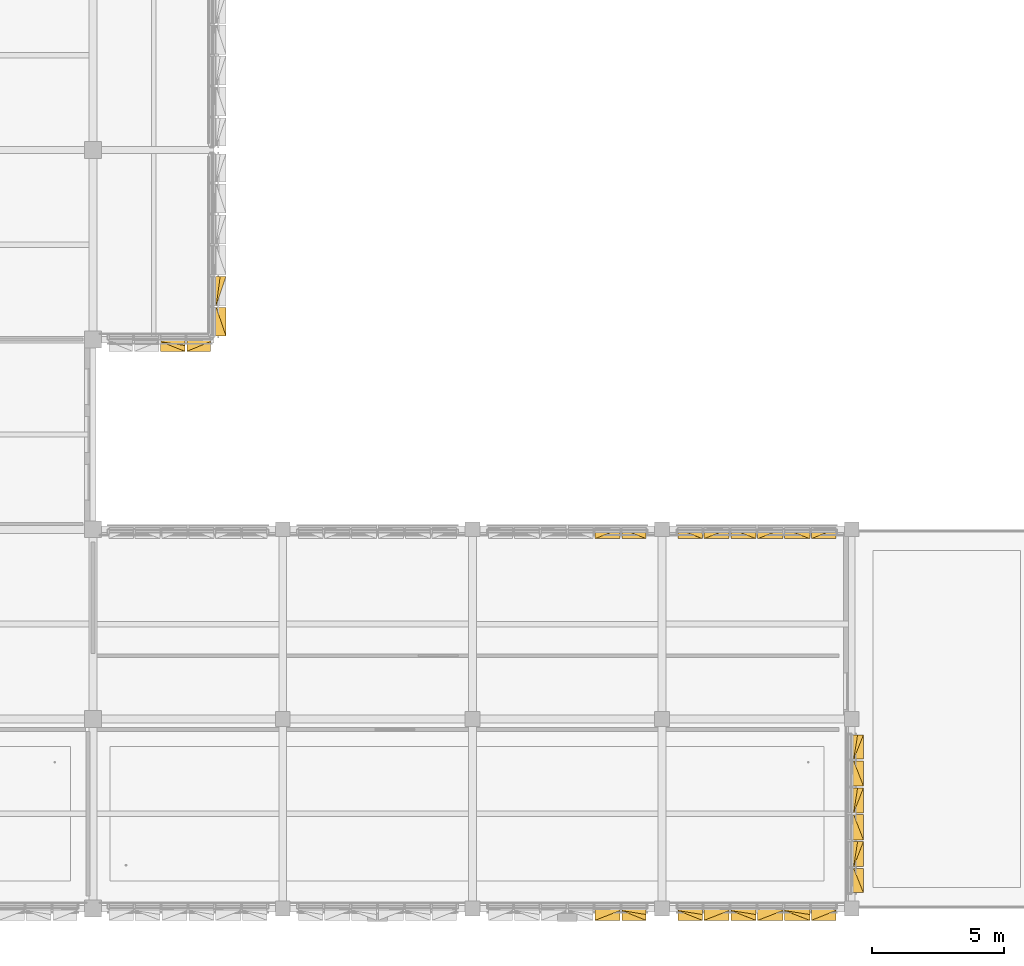
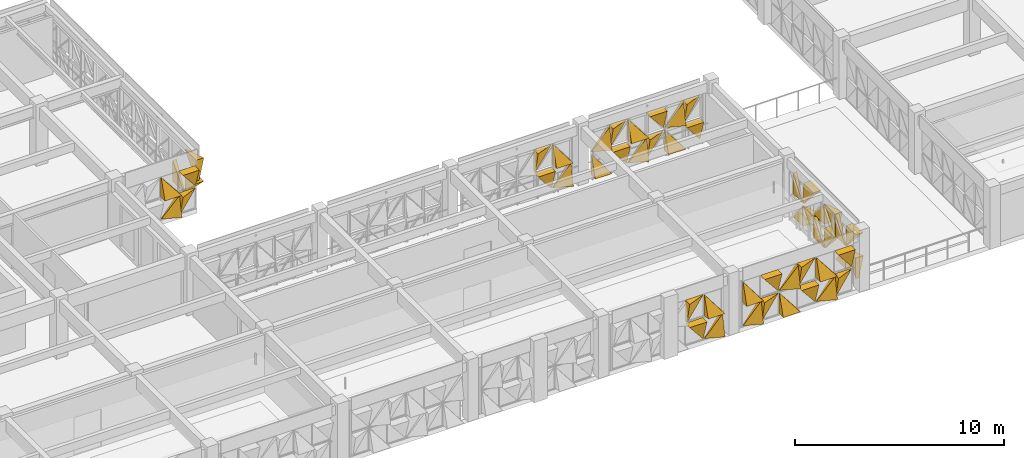
# One storey, part 79 of 85: 51 coverings.
"""IFC4 building model written with IfcOpenShell, lengths in metres."""

from ifc_helpers import new_model, si_unit, direction, frame, origin, place, context, subcontext, project, spatial, polygons, material, layer, layer_set, type_object, element, save


model = new_model("IFC4")

# Units and contexts
model_context = context("Model", 3, precision=1e-05, world=origin(), true_north=direction((0.0, 1.0)))
body_context = subcontext(model_context, "Body", "Model", "MODEL_VIEW")
ifc_project = project(units=[si_unit("LENGTHUNIT", "METRE"), si_unit("AREAUNIT", "SQUARE_METRE"), si_unit("VOLUMEUNIT", "CUBIC_METRE"), si_unit("PLANEANGLEUNIT", "RADIAN"), si_unit("MASSUNIT", "GRAM", prefix="KILO")], contexts=[model_context])

# Site, building, storey
site_placement = place(None, origin())
site = spatial("IfcSite", under=ifc_project, at=site_placement, CompositionType="ELEMENT")
building_placement = place(site_placement, origin())
building = spatial("IfcBuilding", under=site, at=building_placement, Name="Alvorim Cloister Faculty of Sciences", CompositionType="ELEMENT")
storey_placement = place(building_placement, frame((0.0, 0.0, 8.550048828125)))
storey = spatial("IfcBuildingStorey", under=building, at=storey_placement, Name="L02", CompositionType="ELEMENT", Elevation=8.550048828125)

# Coverings
ifc_material = material(Name="Perforated Bronze Alloy Sheet", Category="metal")
ifc_layer = layer(ifc_material, 0.0380859375)
ifc_layer_set = layer_set([ifc_layer], Name="Perforated Bronze Alloy Sheet")
covering_type = type_object("IfcCoveringType", Name="COV-TRI-BRZ", PredefinedType="CLADDING", material=ifc_layer_set)
covering_1_placement = place(storey_placement, frame((33.445068359375, 21.7451171875, 0.139892578125), z_axis=(0.0, 0.0, 1.0), x_axis=(0.0, 1.0, 0.0)))
element("IfcCovering", 1, at=covering_1_placement, inside=storey, type_object=covering_type, Name="Diagonal Solid Metal Triangle TRI-TR", PredefinedType="CLADDING", context=body_context, shape_type="Tessellation", body=[
    polygons([(1.075927734375, 0.0260009765625, 0.002), (1.075927734375, 0.0260009765625, 1.218505859375), (0.002, 0.0260009765625, 1.218505859375), (1.075927734375, -0.03, 0.002), (1.075927734375, -0.4, 1.218505859375), (0.002, -0.4, 1.218505859375)], [[[1, 3, 2]], [[4, 5, 6]], [[1, 2, 5, 4]], [[2, 3, 6, 5]], [[3, 1, 4, 6]]], closed=True),
])
covering_2_placement = place(storey_placement, frame((33.445068359375, 21.7451171875, 1.49853515625), z_axis=(0.0, 0.0, 1.0), x_axis=(0.0, 1.0, 0.0)))
element("IfcCovering", 2, at=covering_2_placement, inside=storey, type_object=covering_type, Name="Diagonal Solid Metal Triangle TRI-TL", PredefinedType="CLADDING", context=body_context, shape_type="Tessellation", body=[
    polygons([(1.073927734375, 0.0260009765625, 1.218505859375), (0.0, 0.0260009765625, 1.218505859375), (0.0, 0.0260009765625, 0.002), (1.073927734375, -0.03, 1.218505859375), (0.0, -0.4, 1.218505859375), (0.0, -0.13999999999999999, 0.002)], [[[1, 3, 2]], [[4, 5, 6]], [[1, 2, 5, 4]], [[2, 3, 6, 5]], [[3, 1, 4, 6]]], closed=True),
])
covering_3_placement = place(storey_placement, frame((33.445068359375, 22.8857421875, 0.139892578125), z_axis=(0.0, 0.0, 1.0), x_axis=(0.0, 1.0, 0.0)))
element("IfcCovering", 3, at=covering_3_placement, inside=storey, type_object=covering_type, Name="Diagonal Solid Metal Triangle TRI-BR", PredefinedType="CLADDING", context=body_context, shape_type="Tessellation", body=[
    polygons([(0.002, 0.0260009765625, 0.0), (1.1083984375, 0.0260009765625, 0.0), (1.1083984375, 0.0260009765625, 1.216505859375), (0.002, -0.03, 0.0), (1.1083984375, -0.4, 0.0), (1.1083984375, -0.18000000000000002, 1.216505859375)], [[[1, 3, 2]], [[4, 5, 6]], [[1, 2, 5, 4]], [[2, 3, 6, 5]], [[3, 1, 4, 6]]], closed=True),
])
covering_4_placement = place(storey_placement, frame((31.362548828125, 21.554931640625, 0.139892578125), z_axis=(0.0, 0.0, 1.0), x_axis=(1.0, 0.0, 0.0)))
element("IfcCovering", 4, at=covering_4_placement, inside=storey, type_object=covering_type, Name="Diagonal Solid Metal Triangle TRI-BR", PredefinedType="CLADDING", context=body_context, shape_type="Tessellation", body=[
    polygons([(0.002, 0.0260009765625, 0.0), (0.929931640625, 0.0260009765625, 0.0), (0.929931640625, 0.0260009765625, 1.14106640625), (0.002, -0.03, 0.0), (0.929931640625, -0.4, 0.0), (0.929931640625, -0.18000000000000002, 1.14106640625)], [[[1, 3, 2]], [[4, 5, 6]], [[1, 2, 5, 4]], [[2, 3, 6, 5]], [[3, 1, 4, 6]]], closed=True),
])
covering_5_placement = place(storey_placement, frame((31.362548828125, 21.554931640625, 1.4228515625), z_axis=(0.0, 0.0, 1.0), x_axis=(1.0, 0.0, 0.0)))
element("IfcCovering", 5, at=covering_5_placement, inside=storey, type_object=covering_type, Name="Diagonal Solid Metal Triangle TRI-BL", PredefinedType="CLADDING", context=body_context, shape_type="Tessellation", body=[
    polygons([(0.0, 0.0260009765625, 0.0), (0.927931640625, 0.0260009765625, 0.0), (0.0, 0.0260009765625, 1.14106640625), (0.0, -0.4, 0.0), (0.927931640625, -0.4, 0.0), (0.0, -0.03, 1.14106640625)], [[[1, 3, 2]], [[4, 5, 6]], [[1, 2, 5, 4]], [[2, 3, 6, 5]], [[3, 1, 4, 6]]], closed=True),
])
covering_6_placement = place(storey_placement, frame((32.357421875, 21.554931640625, 0.139892578125), z_axis=(0.0, 0.0, 1.0), x_axis=(1.0, 0.0, 0.0)))
element("IfcCovering", 6, at=covering_6_placement, inside=storey, type_object=covering_type, Name="Diagonal Solid Metal Triangle TRI-TL", PredefinedType="CLADDING", context=body_context, shape_type="Tessellation", body=[
    polygons([(0.8954609375, 0.0260009765625, 1.14306640625), (0.0, 0.0260009765625, 1.14306640625), (0.0, 0.0260009765625, 0.002), (0.8954609375, -0.03, 1.14306640625), (0.0, -0.4, 1.14306640625), (0.0, -0.13999999999999999, 0.002)], [[[1, 3, 2]], [[4, 5, 6]], [[1, 2, 5, 4]], [[2, 3, 6, 5]], [[3, 1, 4, 6]]], closed=True),
])
covering_7_placement = place(storey_placement, frame((32.357421875, 21.554931640625, 1.4228515625), z_axis=(0.0, 0.0, 1.0), x_axis=(1.0, 0.0, 0.0)))
element("IfcCovering", 7, at=covering_7_placement, inside=storey, type_object=covering_type, Name="Diagonal Solid Metal Triangle TRI-TR", PredefinedType="CLADDING", context=body_context, shape_type="Tessellation", body=[
    polygons([(0.8974609375, 0.0260009765625, 0.002), (0.8974609375, 0.0260009765625, 1.14306640625), (0.002, 0.0260009765625, 1.14306640625), (0.8974609375, -0.03, 0.002), (0.8974609375, -0.4, 1.14306640625), (0.002, -0.4, 1.14306640625)], [[[1, 3, 2]], [[4, 5, 6]], [[1, 2, 5, 4]], [[2, 3, 6, 5]], [[3, 1, 4, 6]]], closed=True),
])
covering_8_placement = place(storey_placement, frame((47.8525390625, 14.445068359375, 0.139892578125), z_axis=(0.0, 0.0, 1.0), x_axis=(1.0, 0.0, 0.0)))
element("IfcCovering", 8, at=covering_8_placement, inside=storey, type_object=covering_type, Name="Diagonal Solid Metal Triangle TRI-TR", PredefinedType="CLADDING", context=body_context, shape_type="Tessellation", body=[
    polygons([(0.955078125, 0.0260009765625, 0.002), (0.955078125, 0.0260009765625, 1.215087890625), (0.002, 0.0260009765625, 1.215087890625), (0.955078125, -0.03, 0.002), (0.955078125, -0.4, 1.215087890625), (0.002, -0.4, 1.215087890625)], [[[1, 3, 2]], [[4, 5, 6]], [[1, 2, 5, 4]], [[2, 3, 6, 5]], [[3, 1, 4, 6]]], closed=True),
])
covering_9_placement = place(storey_placement, frame((47.8525390625, 14.445068359375, 1.494873046875), z_axis=(0.0, 0.0, 1.0), x_axis=(1.0, 0.0, 0.0)))
element("IfcCovering", 9, at=covering_9_placement, inside=storey, type_object=covering_type, Name="Diagonal Solid Metal Triangle TRI-TL", PredefinedType="CLADDING", context=body_context, shape_type="Tessellation", body=[
    polygons([(0.953078125, 0.0260009765625, 1.215087890625), (0.0, 0.0260009765625, 1.215087890625), (0.0, 0.0260009765625, 0.002), (0.953078125, -0.03, 1.215087890625), (0.0, -0.4, 1.215087890625), (0.0, -0.13999999999999999, 0.002)], [[[1, 3, 2]], [[4, 5, 6]], [[1, 2, 5, 4]], [[2, 3, 6, 5]], [[3, 1, 4, 6]]], closed=True),
])
covering_10_placement = place(storey_placement, frame((48.87255859375, 14.445068359375, 0.139892578125), z_axis=(0.0, 0.0, 1.0), x_axis=(1.0, 0.0, 0.0)))
element("IfcCovering", 10, at=covering_10_placement, inside=storey, type_object=covering_type, Name="Diagonal Solid Metal Triangle TRI-BR", PredefinedType="CLADDING", context=body_context, shape_type="Tessellation", body=[
    polygons([(0.002, 0.0260009765625, 0.0), (0.922607421875, 0.0260009765625, 0.0), (0.922607421875, 0.0260009765625, 1.213087890625), (0.002, -0.03, 0.0), (0.922607421875, -0.4, 0.0), (0.922607421875, -0.18000000000000002, 1.213087890625)], [[[1, 3, 2]], [[4, 5, 6]], [[1, 2, 5, 4]], [[2, 3, 6, 5]], [[3, 1, 4, 6]]], closed=True),
])
for number, where, z_axis, x_axis, name in (
    (11, (48.87255859375, 14.445068359375, 1.494873046875), (0.0, 0.0, 1.0), (1.0, 0.0, 0.0), "Diagonal Solid Metal Triangle TRI-BL"),
    (12, (51.0048828125, 14.445068359375, 0.139892578125), (0.0, 0.0, 1.0), (1.0, 0.0, 0.0), "Diagonal Solid Metal Triangle TRI-BL"),
):
    element("IfcCovering", number, at=place(storey_placement, frame(where, z_axis=z_axis, x_axis=x_axis)), inside=storey, type_object=covering_type, Name=name, PredefinedType="CLADDING", context=body_context, shape_type="Tessellation", body=[
        polygons([(0.0, 0.0260009765625, 0.0), (0.920607421875, 0.0260009765625, 0.0), (0.0, 0.0260009765625, 1.213087890625), (0.0, -0.4, 0.0), (0.920607421875, -0.4, 0.0), (0.0, -0.03, 1.213087890625)], [[[1, 3, 2]], [[4, 5, 6]], [[1, 2, 5, 4]], [[2, 3, 6, 5]], [[3, 1, 4, 6]]], closed=True),
    ])
covering_11_placement = place(storey_placement, frame((51.0048828125, 14.445068359375, 1.494873046875), z_axis=(0.0, 0.0, 1.0), x_axis=(1.0, 0.0, 0.0)))
element("IfcCovering", 13, at=covering_11_placement, inside=storey, type_object=covering_type, Name="Diagonal Solid Metal Triangle TRI-BR", PredefinedType="CLADDING", context=body_context, shape_type="Tessellation", body=[
    polygons([(0.002, 0.0260009765625, 0.0), (0.922607421875, 0.0260009765625, 0.0), (0.922607421875, 0.0260009765625, 1.213087890625), (0.002, -0.03, 0.0), (0.922607421875, -0.4, 0.0), (0.922607421875, -0.18000000000000002, 1.213087890625)], [[[1, 3, 2]], [[4, 5, 6]], [[1, 2, 5, 4]], [[2, 3, 6, 5]], [[3, 1, 4, 6]]], closed=True),
])
covering_12_placement = place(storey_placement, frame((51.992431640625, 14.445068359375, 0.139892578125), z_axis=(0.0, 0.0, 1.0), x_axis=(1.0, 0.0, 0.0)))
element("IfcCovering", 14, at=covering_12_placement, inside=storey, type_object=covering_type, Name="Diagonal Solid Metal Triangle TRI-TR", PredefinedType="CLADDING", context=body_context, shape_type="Tessellation", body=[
    polygons([(0.955078125, 0.0260009765625, 0.002), (0.955078125, 0.0260009765625, 1.215087890625), (0.002, 0.0260009765625, 1.215087890625), (0.955078125, -0.03, 0.002), (0.955078125, -0.4, 1.215087890625), (0.002, -0.4, 1.215087890625)], [[[1, 3, 2]], [[4, 5, 6]], [[1, 2, 5, 4]], [[2, 3, 6, 5]], [[3, 1, 4, 6]]], closed=True),
])
covering_13_placement = place(storey_placement, frame((51.992431640625, 14.445068359375, 1.494873046875), z_axis=(0.0, 0.0, 1.0), x_axis=(1.0, 0.0, 0.0)))
element("IfcCovering", 15, at=covering_13_placement, inside=storey, type_object=covering_type, Name="Diagonal Solid Metal Triangle TRI-TL", PredefinedType="CLADDING", context=body_context, shape_type="Tessellation", body=[
    polygons([(0.953078125, 0.0260009765625, 1.215087890625), (0.0, 0.0260009765625, 1.215087890625), (0.0, 0.0260009765625, 0.002), (0.953078125, -0.03, 1.215087890625), (0.0, -0.4, 1.215087890625), (0.0, -0.13999999999999999, 0.002)], [[[1, 3, 2]], [[4, 5, 6]], [[1, 2, 5, 4]], [[2, 3, 6, 5]], [[3, 1, 4, 6]]], closed=True),
])
covering_14_placement = place(storey_placement, frame((53.012451171875, 14.445068359375, 0.139892578125), z_axis=(0.0, 0.0, 1.0), x_axis=(1.0, 0.0, 0.0)))
element("IfcCovering", 16, at=covering_14_placement, inside=storey, type_object=covering_type, Name="Diagonal Solid Metal Triangle TRI-BR", PredefinedType="CLADDING", context=body_context, shape_type="Tessellation", body=[
    polygons([(0.002, 0.0260009765625, 0.0), (0.955078125, 0.0260009765625, 0.0), (0.955078125, 0.0260009765625, 1.213087890625), (0.002, -0.03, 0.0), (0.955078125, -0.4, 0.0), (0.955078125, -0.18000000000000002, 1.213087890625)], [[[1, 3, 2]], [[4, 5, 6]], [[1, 2, 5, 4]], [[2, 3, 6, 5]], [[3, 1, 4, 6]]], closed=True),
])
covering_15_placement = place(storey_placement, frame((53.012451171875, 14.445068359375, 1.494873046875), z_axis=(0.0, 0.0, 1.0), x_axis=(1.0, 0.0, 0.0)))
element("IfcCovering", 17, at=covering_15_placement, inside=storey, type_object=covering_type, Name="Diagonal Solid Metal Triangle TRI-BL", PredefinedType="CLADDING", context=body_context, shape_type="Tessellation", body=[
    polygons([(0.0, 0.0260009765625, 0.0), (0.953078125, 0.0260009765625, 0.0), (0.0, 0.0260009765625, 1.213087890625), (0.0, -0.4, 0.0), (0.953078125, -0.4, 0.0), (0.0, -0.03, 1.213087890625)], [[[1, 3, 2]], [[4, 5, 6]], [[1, 2, 5, 4]], [[2, 3, 6, 5]], [[3, 1, 4, 6]]], closed=True),
])
covering_16_placement = place(storey_placement, frame((54.032470703125, 14.445068359375, 0.139892578125), z_axis=(0.0, 0.0, 1.0), x_axis=(1.0, 0.0, 0.0)))
element("IfcCovering", 18, at=covering_16_placement, inside=storey, type_object=covering_type, Name="Diagonal Solid Metal Triangle TRI-TL", PredefinedType="CLADDING", context=body_context, shape_type="Tessellation", body=[
    polygons([(0.953078125, 0.0260009765625, 1.215087890625), (0.0, 0.0260009765625, 1.215087890625), (0.0, 0.0260009765625, 0.002), (0.953078125, -0.03, 1.215087890625), (0.0, -0.4, 1.215087890625), (0.0, -0.13999999999999999, 0.002)], [[[1, 3, 2]], [[4, 5, 6]], [[1, 2, 5, 4]], [[2, 3, 6, 5]], [[3, 1, 4, 6]]], closed=True),
])
covering_17_placement = place(storey_placement, frame((54.032470703125, 14.445068359375, 1.494873046875), z_axis=(0.0, 0.0, 1.0), x_axis=(1.0, 0.0, 0.0)))
element("IfcCovering", 19, at=covering_17_placement, inside=storey, type_object=covering_type, Name="Diagonal Solid Metal Triangle TRI-TR", PredefinedType="CLADDING", context=body_context, shape_type="Tessellation", body=[
    polygons([(0.955078125, 0.0260009765625, 0.002), (0.955078125, 0.0260009765625, 1.215087890625), (0.002, 0.0260009765625, 1.215087890625), (0.955078125, -0.03, 0.002), (0.955078125, -0.4, 1.215087890625), (0.002, -0.4, 1.215087890625)], [[[1, 3, 2]], [[4, 5, 6]], [[1, 2, 5, 4]], [[2, 3, 6, 5]], [[3, 1, 4, 6]]], closed=True),
])
covering_18_placement = place(storey_placement, frame((55.052490234375, 14.445068359375, 0.139892578125), z_axis=(0.0, 0.0, 1.0), x_axis=(1.0, 0.0, 0.0)))
element("IfcCovering", 20, at=covering_18_placement, inside=storey, type_object=covering_type, Name="Diagonal Solid Metal Triangle TRI-BL", PredefinedType="CLADDING", context=body_context, shape_type="Tessellation", body=[
    polygons([(0.0, 0.0260009765625, 0.0), (0.953078125, 0.0260009765625, 0.0), (0.0, 0.0260009765625, 1.213087890625), (0.0, -0.4, 0.0), (0.953078125, -0.4, 0.0), (0.0, -0.03, 1.213087890625)], [[[1, 3, 2]], [[4, 5, 6]], [[1, 2, 5, 4]], [[2, 3, 6, 5]], [[3, 1, 4, 6]]], closed=True),
])
covering_19_placement = place(storey_placement, frame((55.052490234375, 14.445068359375, 1.494873046875), z_axis=(0.0, 0.0, 1.0), x_axis=(1.0, 0.0, 0.0)))
element("IfcCovering", 21, at=covering_19_placement, inside=storey, type_object=covering_type, Name="Diagonal Solid Metal Triangle TRI-BR", PredefinedType="CLADDING", context=body_context, shape_type="Tessellation", body=[
    polygons([(0.002, 0.0260009765625, 0.0), (0.955078125, 0.0260009765625, 0.0), (0.955078125, 0.0260009765625, 1.213087890625), (0.002, -0.03, 0.0), (0.955078125, -0.4, 0.0), (0.955078125, -0.18000000000000002, 1.213087890625)], [[[1, 3, 2]], [[4, 5, 6]], [[1, 2, 5, 4]], [[2, 3, 6, 5]], [[3, 1, 4, 6]]], closed=True),
])
covering_20_placement = place(storey_placement, frame((56.072509765625, 14.445068359375, 0.139892578125), z_axis=(0.0, 0.0, 1.0), x_axis=(1.0, 0.0, 0.0)))
element("IfcCovering", 22, at=covering_20_placement, inside=storey, type_object=covering_type, Name="Diagonal Solid Metal Triangle TRI-TR", PredefinedType="CLADDING", context=body_context, shape_type="Tessellation", body=[
    polygons([(0.922607421875, 0.0260009765625, 0.002), (0.922607421875, 0.0260009765625, 1.215087890625), (0.002, 0.0260009765625, 1.215087890625), (0.922607421875, -0.03, 0.002), (0.922607421875, -0.4, 1.215087890625), (0.002, -0.4, 1.215087890625)], [[[1, 3, 2]], [[4, 5, 6]], [[1, 2, 5, 4]], [[2, 3, 6, 5]], [[3, 1, 4, 6]]], closed=True),
])
for number, where, z_axis, x_axis, name in (
    (23, (56.072509765625, 14.445068359375, 1.494873046875), (0.0, 0.0, 1.0), (1.0, 0.0, 0.0), "Diagonal Solid Metal Triangle TRI-TL"),
    (24, (57.64501953125, 0.60498046875, 0.139892578125), (0.0, 0.0, 1.0), (0.0, 1.0, 0.0), "Diagonal Solid Metal Triangle TRI-TL"),
):
    element("IfcCovering", number, at=place(storey_placement, frame(where, z_axis=z_axis, x_axis=x_axis)), inside=storey, type_object=covering_type, Name=name, PredefinedType="CLADDING", context=body_context, shape_type="Tessellation", body=[
        polygons([(0.920607421875, 0.0260009765625, 1.215087890625), (0.0, 0.0260009765625, 1.215087890625), (0.0, 0.0260009765625, 0.002), (0.920607421875, -0.03, 1.215087890625), (0.0, -0.4, 1.215087890625), (0.0, -0.13999999999999999, 0.002)], [[[1, 3, 2]], [[4, 5, 6]], [[1, 2, 5, 4]], [[2, 3, 6, 5]], [[3, 1, 4, 6]]], closed=True),
    ])
covering_21_placement = place(storey_placement, frame((57.64501953125, 0.60498046875, 1.494873046875), z_axis=(0.0, 0.0, 1.0), x_axis=(0.0, 1.0, 0.0)))
element("IfcCovering", 25, at=covering_21_placement, inside=storey, type_object=covering_type, Name="Diagonal Solid Metal Triangle TRI-TR", PredefinedType="CLADDING", context=body_context, shape_type="Tessellation", body=[
    polygons([(0.922607421875, 0.0260009765625, 0.002), (0.922607421875, 0.0260009765625, 1.215087890625), (0.002, 0.0260009765625, 1.215087890625), (0.922607421875, -0.03, 0.002), (0.922607421875, -0.4, 1.215087890625), (0.002, -0.4, 1.215087890625)], [[[1, 3, 2]], [[4, 5, 6]], [[1, 2, 5, 4]], [[2, 3, 6, 5]], [[3, 1, 4, 6]]], closed=True),
])
covering_22_placement = place(storey_placement, frame((57.64501953125, 1.592529296875, 0.139892578125), z_axis=(0.0, 0.0, 1.0), x_axis=(0.0, 1.0, 0.0)))
element("IfcCovering", 26, at=covering_22_placement, inside=storey, type_object=covering_type, Name="Diagonal Solid Metal Triangle TRI-BL", PredefinedType="CLADDING", context=body_context, shape_type="Tessellation", body=[
    polygons([(0.0, 0.0260009765625, 0.0), (0.953078125, 0.0260009765625, 0.0), (0.0, 0.0260009765625, 1.213087890625), (0.0, -0.4, 0.0), (0.953078125, -0.4, 0.0), (0.0, -0.03, 1.213087890625)], [[[1, 3, 2]], [[4, 5, 6]], [[1, 2, 5, 4]], [[2, 3, 6, 5]], [[3, 1, 4, 6]]], closed=True),
])
covering_23_placement = place(storey_placement, frame((57.64501953125, 1.592529296875, 1.494873046875), z_axis=(0.0, 0.0, 1.0), x_axis=(0.0, 1.0, 0.0)))
element("IfcCovering", 27, at=covering_23_placement, inside=storey, type_object=covering_type, Name="Diagonal Solid Metal Triangle TRI-BR", PredefinedType="CLADDING", context=body_context, shape_type="Tessellation", body=[
    polygons([(0.002, 0.0260009765625, 0.0), (0.955078125, 0.0260009765625, 0.0), (0.955078125, 0.0260009765625, 1.213087890625), (0.002, -0.03, 0.0), (0.955078125, -0.4, 0.0), (0.955078125, -0.18000000000000002, 1.213087890625)], [[[1, 3, 2]], [[4, 5, 6]], [[1, 2, 5, 4]], [[2, 3, 6, 5]], [[3, 1, 4, 6]]], closed=True),
])
covering_24_placement = place(storey_placement, frame((57.64501953125, 2.612548828125, 0.139892578125), z_axis=(0.0, 0.0, 1.0), x_axis=(0.0, 1.0, 0.0)))
element("IfcCovering", 28, at=covering_24_placement, inside=storey, type_object=covering_type, Name="Diagonal Solid Metal Triangle TRI-TR", PredefinedType="CLADDING", context=body_context, shape_type="Tessellation", body=[
    polygons([(0.955078125, 0.0260009765625, 0.002), (0.955078125, 0.0260009765625, 1.215087890625), (0.002, 0.0260009765625, 1.215087890625), (0.955078125, -0.03, 0.002), (0.955078125, -0.4, 1.215087890625), (0.002, -0.4, 1.215087890625)], [[[1, 3, 2]], [[4, 5, 6]], [[1, 2, 5, 4]], [[2, 3, 6, 5]], [[3, 1, 4, 6]]], closed=True),
])
covering_25_placement = place(storey_placement, frame((57.64501953125, 2.612548828125, 1.494873046875), z_axis=(0.0, 0.0, 1.0), x_axis=(0.0, 1.0, 0.0)))
element("IfcCovering", 29, at=covering_25_placement, inside=storey, type_object=covering_type, Name="Diagonal Solid Metal Triangle TRI-TL", PredefinedType="CLADDING", context=body_context, shape_type="Tessellation", body=[
    polygons([(0.953078125, 0.0260009765625, 1.215087890625), (0.0, 0.0260009765625, 1.215087890625), (0.0, 0.0260009765625, 0.002), (0.953078125, -0.03, 1.215087890625), (0.0, -0.4, 1.215087890625), (0.0, -0.13999999999999999, 0.002)], [[[1, 3, 2]], [[4, 5, 6]], [[1, 2, 5, 4]], [[2, 3, 6, 5]], [[3, 1, 4, 6]]], closed=True),
])
covering_26_placement = place(storey_placement, frame((57.64501953125, 3.632568359375, 0.139892578125), z_axis=(0.0, 0.0, 1.0), x_axis=(0.0, 1.0, 0.0)))
element("IfcCovering", 30, at=covering_26_placement, inside=storey, type_object=covering_type, Name="Diagonal Solid Metal Triangle TRI-BR", PredefinedType="CLADDING", context=body_context, shape_type="Tessellation", body=[
    polygons([(0.002, 0.0260009765625, 0.0), (0.955078125, 0.0260009765625, 0.0), (0.955078125, 0.0260009765625, 1.213087890625), (0.002, -0.03, 0.0), (0.955078125, -0.4, 0.0), (0.955078125, -0.18000000000000002, 1.213087890625)], [[[1, 3, 2]], [[4, 5, 6]], [[1, 2, 5, 4]], [[2, 3, 6, 5]], [[3, 1, 4, 6]]], closed=True),
])
covering_27_placement = place(storey_placement, frame((57.64501953125, 3.632568359375, 1.494873046875), z_axis=(0.0, 0.0, 1.0), x_axis=(0.0, 1.0, 0.0)))
element("IfcCovering", 31, at=covering_27_placement, inside=storey, type_object=covering_type, Name="Diagonal Solid Metal Triangle TRI-BL", PredefinedType="CLADDING", context=body_context, shape_type="Tessellation", body=[
    polygons([(0.0, 0.0260009765625, 0.0), (0.953078125, 0.0260009765625, 0.0), (0.0, 0.0260009765625, 1.213087890625), (0.0, -0.4, 0.0), (0.953078125, -0.4, 0.0), (0.0, -0.03, 1.213087890625)], [[[1, 3, 2]], [[4, 5, 6]], [[1, 2, 5, 4]], [[2, 3, 6, 5]], [[3, 1, 4, 6]]], closed=True),
])
covering_28_placement = place(storey_placement, frame((57.64501953125, 4.652587890625, 0.139892578125), z_axis=(0.0, 0.0, 1.0), x_axis=(0.0, 1.0, 0.0)))
element("IfcCovering", 32, at=covering_28_placement, inside=storey, type_object=covering_type, Name="Diagonal Solid Metal Triangle TRI-TL", PredefinedType="CLADDING", context=body_context, shape_type="Tessellation", body=[
    polygons([(0.953078125, 0.0260009765625, 1.215087890625), (0.0, 0.0260009765625, 1.215087890625), (0.0, 0.0260009765625, 0.002), (0.953078125, -0.03, 1.215087890625), (0.0, -0.4, 1.215087890625), (0.0, -0.13999999999999999, 0.002)], [[[1, 3, 2]], [[4, 5, 6]], [[1, 2, 5, 4]], [[2, 3, 6, 5]], [[3, 1, 4, 6]]], closed=True),
])
covering_29_placement = place(storey_placement, frame((57.64501953125, 4.652587890625, 1.494873046875), z_axis=(0.0, 0.0, 1.0), x_axis=(0.0, 1.0, 0.0)))
element("IfcCovering", 33, at=covering_29_placement, inside=storey, type_object=covering_type, Name="Diagonal Solid Metal Triangle TRI-TR", PredefinedType="CLADDING", context=body_context, shape_type="Tessellation", body=[
    polygons([(0.955078125, 0.0260009765625, 0.002), (0.955078125, 0.0260009765625, 1.215087890625), (0.002, 0.0260009765625, 1.215087890625), (0.955078125, -0.03, 0.002), (0.955078125, -0.4, 1.215087890625), (0.002, -0.4, 1.215087890625)], [[[1, 3, 2]], [[4, 5, 6]], [[1, 2, 5, 4]], [[2, 3, 6, 5]], [[3, 1, 4, 6]]], closed=True),
])
covering_30_placement = place(storey_placement, frame((57.64501953125, 5.672607421875, 0.139892578125), z_axis=(0.0, 0.0, 1.0), x_axis=(0.0, 1.0, 0.0)))
element("IfcCovering", 34, at=covering_30_placement, inside=storey, type_object=covering_type, Name="Diagonal Solid Metal Triangle TRI-BL", PredefinedType="CLADDING", context=body_context, shape_type="Tessellation", body=[
    polygons([(0.0, 0.0260009765625, 0.0), (0.920607421875, 0.0260009765625, 0.0), (0.0, 0.0260009765625, 1.213087890625), (0.0, -0.4, 0.0), (0.920607421875, -0.4, 0.0), (0.0, -0.03, 1.213087890625)], [[[1, 3, 2]], [[4, 5, 6]], [[1, 2, 5, 4]], [[2, 3, 6, 5]], [[3, 1, 4, 6]]], closed=True),
])
for number, where, z_axis, x_axis, name in (
    (35, (57.64501953125, 5.672607421875, 1.494873046875), (0.0, 0.0, 1.0), (0.0, 1.0, 0.0), "Diagonal Solid Metal Triangle TRI-BR"),
    (36, (51.0048828125, -0.044921875, 0.139892578125), (0.0, 0.0, 1.0), (1.0, 0.0, 0.0), "Diagonal Solid Metal Triangle TRI-BR"),
):
    element("IfcCovering", number, at=place(storey_placement, frame(where, z_axis=z_axis, x_axis=x_axis)), inside=storey, type_object=covering_type, Name=name, PredefinedType="CLADDING", context=body_context, shape_type="Tessellation", body=[
        polygons([(0.002, 0.0260009765625, 0.0), (0.922607421875, 0.0260009765625, 0.0), (0.922607421875, 0.0260009765625, 1.213087890625), (0.002, -0.03, 0.0), (0.922607421875, -0.4, 0.0), (0.922607421875, -0.18000000000000002, 1.213087890625)], [[[1, 3, 2]], [[4, 5, 6]], [[1, 2, 5, 4]], [[2, 3, 6, 5]], [[3, 1, 4, 6]]], closed=True),
    ])
covering_31_placement = place(storey_placement, frame((51.0048828125, -0.044921875, 1.494873046875), z_axis=(0.0, 0.0, 1.0), x_axis=(1.0, 0.0, 0.0)))
element("IfcCovering", 37, at=covering_31_placement, inside=storey, type_object=covering_type, Name="Diagonal Solid Metal Triangle TRI-BL", PredefinedType="CLADDING", context=body_context, shape_type="Tessellation", body=[
    polygons([(0.0, 0.0260009765625, 0.0), (0.920607421875, 0.0260009765625, 0.0), (0.0, 0.0260009765625, 1.213087890625), (0.0, -0.4, 0.0), (0.920607421875, -0.4, 0.0), (0.0, -0.03, 1.213087890625)], [[[1, 3, 2]], [[4, 5, 6]], [[1, 2, 5, 4]], [[2, 3, 6, 5]], [[3, 1, 4, 6]]], closed=True),
])
covering_32_placement = place(storey_placement, frame((51.992431640625, -0.044921875, 0.139892578125), z_axis=(0.0, 0.0, 1.0), x_axis=(1.0, 0.0, 0.0)))
element("IfcCovering", 38, at=covering_32_placement, inside=storey, type_object=covering_type, Name="Diagonal Solid Metal Triangle TRI-TL", PredefinedType="CLADDING", context=body_context, shape_type="Tessellation", body=[
    polygons([(0.953078125, 0.0260009765625, 1.215087890625), (0.0, 0.0260009765625, 1.215087890625), (0.0, 0.0260009765625, 0.002), (0.953078125, -0.03, 1.215087890625), (0.0, -0.4, 1.215087890625), (0.0, -0.13999999999999999, 0.002)], [[[1, 3, 2]], [[4, 5, 6]], [[1, 2, 5, 4]], [[2, 3, 6, 5]], [[3, 1, 4, 6]]], closed=True),
])
covering_33_placement = place(storey_placement, frame((51.992431640625, -0.044921875, 1.494873046875), z_axis=(0.0, 0.0, 1.0), x_axis=(1.0, 0.0, 0.0)))
element("IfcCovering", 39, at=covering_33_placement, inside=storey, type_object=covering_type, Name="Diagonal Solid Metal Triangle TRI-TR", PredefinedType="CLADDING", context=body_context, shape_type="Tessellation", body=[
    polygons([(0.955078125, 0.0260009765625, 0.002), (0.955078125, 0.0260009765625, 1.215087890625), (0.002, 0.0260009765625, 1.215087890625), (0.955078125, -0.03, 0.002), (0.955078125, -0.4, 1.215087890625), (0.002, -0.4, 1.215087890625)], [[[1, 3, 2]], [[4, 5, 6]], [[1, 2, 5, 4]], [[2, 3, 6, 5]], [[3, 1, 4, 6]]], closed=True),
])
covering_34_placement = place(storey_placement, frame((53.012451171875, -0.044921875, 0.139892578125), z_axis=(0.0, 0.0, 1.0), x_axis=(1.0, 0.0, 0.0)))
element("IfcCovering", 40, at=covering_34_placement, inside=storey, type_object=covering_type, Name="Diagonal Solid Metal Triangle TRI-BL", PredefinedType="CLADDING", context=body_context, shape_type="Tessellation", body=[
    polygons([(0.0, 0.0260009765625, 0.0), (0.953078125, 0.0260009765625, 0.0), (0.0, 0.0260009765625, 1.213087890625), (0.0, -0.4, 0.0), (0.953078125, -0.4, 0.0), (0.0, -0.03, 1.213087890625)], [[[1, 3, 2]], [[4, 5, 6]], [[1, 2, 5, 4]], [[2, 3, 6, 5]], [[3, 1, 4, 6]]], closed=True),
])
covering_35_placement = place(storey_placement, frame((53.012451171875, -0.044921875, 1.494873046875), z_axis=(0.0, 0.0, 1.0), x_axis=(1.0, 0.0, 0.0)))
element("IfcCovering", 41, at=covering_35_placement, inside=storey, type_object=covering_type, Name="Diagonal Solid Metal Triangle TRI-BR", PredefinedType="CLADDING", context=body_context, shape_type="Tessellation", body=[
    polygons([(0.002, 0.0260009765625, 0.0), (0.955078125, 0.0260009765625, 0.0), (0.955078125, 0.0260009765625, 1.213087890625), (0.002, -0.03, 0.0), (0.955078125, -0.4, 0.0), (0.955078125, -0.18000000000000002, 1.213087890625)], [[[1, 3, 2]], [[4, 5, 6]], [[1, 2, 5, 4]], [[2, 3, 6, 5]], [[3, 1, 4, 6]]], closed=True),
])
covering_36_placement = place(storey_placement, frame((54.032470703125, -0.044921875, 0.139892578125), z_axis=(0.0, 0.0, 1.0), x_axis=(1.0, 0.0, 0.0)))
element("IfcCovering", 42, at=covering_36_placement, inside=storey, type_object=covering_type, Name="Diagonal Solid Metal Triangle TRI-TR", PredefinedType="CLADDING", context=body_context, shape_type="Tessellation", body=[
    polygons([(0.955078125, 0.0260009765625, 0.002), (0.955078125, 0.0260009765625, 1.215087890625), (0.002, 0.0260009765625, 1.215087890625), (0.955078125, -0.03, 0.002), (0.955078125, -0.4, 1.215087890625), (0.002, -0.4, 1.215087890625)], [[[1, 3, 2]], [[4, 5, 6]], [[1, 2, 5, 4]], [[2, 3, 6, 5]], [[3, 1, 4, 6]]], closed=True),
])
covering_37_placement = place(storey_placement, frame((54.032470703125, -0.044921875, 1.494873046875), z_axis=(0.0, 0.0, 1.0), x_axis=(1.0, 0.0, 0.0)))
element("IfcCovering", 43, at=covering_37_placement, inside=storey, type_object=covering_type, Name="Diagonal Solid Metal Triangle TRI-TL", PredefinedType="CLADDING", context=body_context, shape_type="Tessellation", body=[
    polygons([(0.953078125, 0.0260009765625, 1.215087890625), (0.0, 0.0260009765625, 1.215087890625), (0.0, 0.0260009765625, 0.002), (0.953078125, -0.03, 1.215087890625), (0.0, -0.4, 1.215087890625), (0.0, -0.13999999999999999, 0.002)], [[[1, 3, 2]], [[4, 5, 6]], [[1, 2, 5, 4]], [[2, 3, 6, 5]], [[3, 1, 4, 6]]], closed=True),
])
covering_38_placement = place(storey_placement, frame((55.052490234375, -0.044921875, 0.139892578125), z_axis=(0.0, 0.0, 1.0), x_axis=(1.0, 0.0, 0.0)))
element("IfcCovering", 44, at=covering_38_placement, inside=storey, type_object=covering_type, Name="Diagonal Solid Metal Triangle TRI-BR", PredefinedType="CLADDING", context=body_context, shape_type="Tessellation", body=[
    polygons([(0.002, 0.0260009765625, 0.0), (0.955078125, 0.0260009765625, 0.0), (0.955078125, 0.0260009765625, 1.213087890625), (0.002, -0.03, 0.0), (0.955078125, -0.4, 0.0), (0.955078125, -0.18000000000000002, 1.213087890625)], [[[1, 3, 2]], [[4, 5, 6]], [[1, 2, 5, 4]], [[2, 3, 6, 5]], [[3, 1, 4, 6]]], closed=True),
])
covering_39_placement = place(storey_placement, frame((55.052490234375, -0.044921875, 1.494873046875), z_axis=(0.0, 0.0, 1.0), x_axis=(1.0, 0.0, 0.0)))
element("IfcCovering", 45, at=covering_39_placement, inside=storey, type_object=covering_type, Name="Diagonal Solid Metal Triangle TRI-BL", PredefinedType="CLADDING", context=body_context, shape_type="Tessellation", body=[
    polygons([(0.0, 0.0260009765625, 0.0), (0.953078125, 0.0260009765625, 0.0), (0.0, 0.0260009765625, 1.213087890625), (0.0, -0.4, 0.0), (0.953078125, -0.4, 0.0), (0.0, -0.03, 1.213087890625)], [[[1, 3, 2]], [[4, 5, 6]], [[1, 2, 5, 4]], [[2, 3, 6, 5]], [[3, 1, 4, 6]]], closed=True),
])
covering_40_placement = place(storey_placement, frame((56.072509765625, -0.044921875, 0.139892578125), z_axis=(0.0, 0.0, 1.0), x_axis=(1.0, 0.0, 0.0)))
element("IfcCovering", 46, at=covering_40_placement, inside=storey, type_object=covering_type, Name="Diagonal Solid Metal Triangle TRI-TL", PredefinedType="CLADDING", context=body_context, shape_type="Tessellation", body=[
    polygons([(0.920607421875, 0.0260009765625, 1.215087890625), (0.0, 0.0260009765625, 1.215087890625), (0.0, 0.0260009765625, 0.002), (0.920607421875, -0.03, 1.215087890625), (0.0, -0.4, 1.215087890625), (0.0, -0.13999999999999999, 0.002)], [[[1, 3, 2]], [[4, 5, 6]], [[1, 2, 5, 4]], [[2, 3, 6, 5]], [[3, 1, 4, 6]]], closed=True),
])
covering_41_placement = place(storey_placement, frame((56.072509765625, -0.044921875, 1.494873046875), z_axis=(0.0, 0.0, 1.0), x_axis=(1.0, 0.0, 0.0)))
element("IfcCovering", 47, at=covering_41_placement, inside=storey, type_object=covering_type, Name="Diagonal Solid Metal Triangle TRI-TR", PredefinedType="CLADDING", context=body_context, shape_type="Tessellation", body=[
    polygons([(0.922607421875, 0.0260009765625, 0.002), (0.922607421875, 0.0260009765625, 1.215087890625), (0.002, 0.0260009765625, 1.215087890625), (0.922607421875, -0.03, 0.002), (0.922607421875, -0.4, 1.215087890625), (0.002, -0.4, 1.215087890625)], [[[1, 3, 2]], [[4, 5, 6]], [[1, 2, 5, 4]], [[2, 3, 6, 5]], [[3, 1, 4, 6]]], closed=True),
])
covering_42_placement = place(storey_placement, frame((47.8525390625, -0.044921875, 0.139892578125), z_axis=(0.0, 0.0, 1.0), x_axis=(1.0, 0.0, 0.0)))
element("IfcCovering", 48, at=covering_42_placement, inside=storey, type_object=covering_type, Name="Diagonal Solid Metal Triangle TRI-TR", PredefinedType="CLADDING", context=body_context, shape_type="Tessellation", body=[
    polygons([(0.955078125, 0.0260009765625, 0.002), (0.955078125, 0.0260009765625, 1.215087890625), (0.002, 0.0260009765625, 1.215087890625), (0.955078125, -0.03, 0.002), (0.955078125, -0.4, 1.215087890625), (0.002, -0.4, 1.215087890625)], [[[1, 3, 2]], [[4, 5, 6]], [[1, 2, 5, 4]], [[2, 3, 6, 5]], [[3, 1, 4, 6]]], closed=True),
])
covering_43_placement = place(storey_placement, frame((47.8525390625, -0.044921875, 1.494873046875), z_axis=(0.0, 0.0, 1.0), x_axis=(1.0, 0.0, 0.0)))
element("IfcCovering", 49, at=covering_43_placement, inside=storey, type_object=covering_type, Name="Diagonal Solid Metal Triangle TRI-TL", PredefinedType="CLADDING", context=body_context, shape_type="Tessellation", body=[
    polygons([(0.953078125, 0.0260009765625, 1.215087890625), (0.0, 0.0260009765625, 1.215087890625), (0.0, 0.0260009765625, 0.002), (0.953078125, -0.03, 1.215087890625), (0.0, -0.4, 1.215087890625), (0.0, -0.13999999999999999, 0.002)], [[[1, 3, 2]], [[4, 5, 6]], [[1, 2, 5, 4]], [[2, 3, 6, 5]], [[3, 1, 4, 6]]], closed=True),
])
covering_44_placement = place(storey_placement, frame((48.87255859375, -0.044921875, 0.139892578125), z_axis=(0.0, 0.0, 1.0), x_axis=(1.0, 0.0, 0.0)))
element("IfcCovering", 50, at=covering_44_placement, inside=storey, type_object=covering_type, Name="Diagonal Solid Metal Triangle TRI-BR", PredefinedType="CLADDING", context=body_context, shape_type="Tessellation", body=[
    polygons([(0.002, 0.0260009765625, 0.0), (0.922607421875, 0.0260009765625, 0.0), (0.922607421875, 0.0260009765625, 1.213087890625), (0.002, -0.03, 0.0), (0.922607421875, -0.4, 0.0), (0.922607421875, -0.18000000000000002, 1.213087890625)], [[[1, 3, 2]], [[4, 5, 6]], [[1, 2, 5, 4]], [[2, 3, 6, 5]], [[3, 1, 4, 6]]], closed=True),
])
covering_45_placement = place(storey_placement, frame((48.87255859375, -0.044921875, 1.494873046875), z_axis=(0.0, 0.0, 1.0), x_axis=(1.0, 0.0, 0.0)))
element("IfcCovering", 51, at=covering_45_placement, inside=storey, type_object=covering_type, Name="Diagonal Solid Metal Triangle TRI-BL", PredefinedType="CLADDING", context=body_context, shape_type="Tessellation", body=[
    polygons([(0.0, 0.0260009765625, 0.0), (0.920607421875, 0.0260009765625, 0.0), (0.0, 0.0260009765625, 1.213087890625), (0.0, -0.4, 0.0), (0.920607421875, -0.4, 0.0), (0.0, -0.03, 1.213087890625)], [[[1, 3, 2]], [[4, 5, 6]], [[1, 2, 5, 4]], [[2, 3, 6, 5]], [[3, 1, 4, 6]]], closed=True),
])

save(model, "model.ifc")
